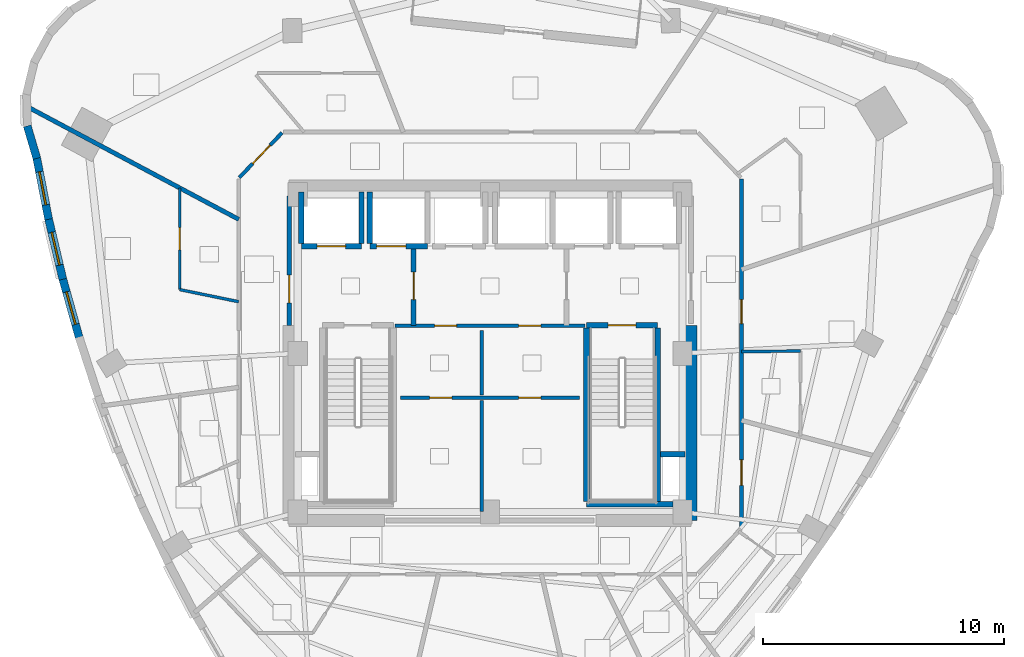
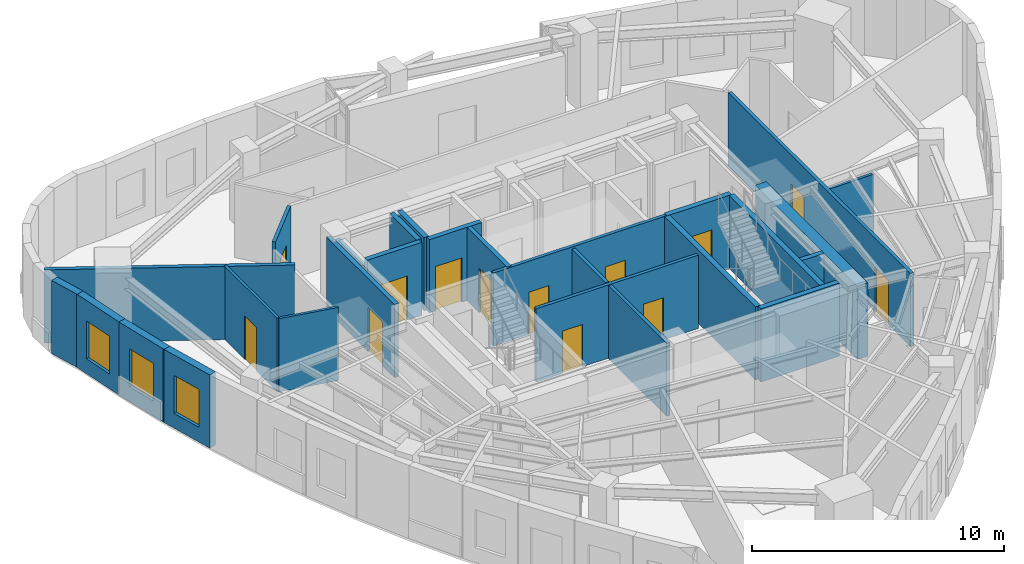
# One storey, part 6 of 11: 27 walls, 13 doors, 3 windows, 16 openings.
"""IFC4 building model written with IfcOpenShell, lengths in metres."""

from ifc_helpers import new_model, si_unit, direction, frame, frame_2d, origin, place, context, subcontext, project, spatial, rectangle, extrude, material, layer, layer_set, type_object, element, fill, save


model = new_model("IFC4")

# Units and contexts
model_context = context("Model", 3, precision=1e-05, world=origin(), true_north=direction((0.0, 1.0)))
body_context = subcontext(model_context, "Body", "Model", "MODEL_VIEW")
ifc_project = project(units=[si_unit("LENGTHUNIT", "METRE"), si_unit("AREAUNIT", "SQUARE_METRE"), si_unit("VOLUMEUNIT", "CUBIC_METRE"), si_unit("PLANEANGLEUNIT", "RADIAN"), si_unit("MASSUNIT", "GRAM", prefix="KILO")], contexts=[model_context])

# Site, building, storey
site_placement = place(None, origin())
site = spatial("IfcSite", under=ifc_project, at=site_placement, CompositionType="ELEMENT")
building_placement = place(site_placement, origin())
building = spatial("IfcBuilding", under=site, at=building_placement, Name="Ndelora Gate Hotel", CompositionType="ELEMENT")
storey_placement = place(building_placement, frame((0.0, 0.0, 186.550048828125)))
storey = spatial("IfcBuildingStorey", under=building, at=storey_placement, Name="L46", CompositionType="ELEMENT", Elevation=186.550048828125)

# Walls
ifc_material_1 = material(Name="Acoustic Double-Stud Gypsum Assembly", Category="gypsum")
ifc_layer_1 = layer(ifc_material_1, 0.179931640625)
ifc_layer_set_1 = layer_set([ifc_layer_1], Name="Acoustic Double-Stud Gypsum Assembly")
wall_type_1 = type_object("IfcWallType", Name="WL-ACOUST-180", PredefinedType="PARTITIONING", material=ifc_layer_set_1)
wall_1_placement = place(storey_placement, frame((-10.449951171875, 5.56884765625, 0.0), z_axis=(0.0, 0.0, 1.0), x_axis=(-0.882520823544, 0.47027332054, 0.0)))
element("IfcWall", 1, at=wall_1_placement, inside=storey, type_object=wall_type_1, Name="L46 Interior Wall IW-3", PredefinedType="PARTITIONING", context=body_context, shape_type="SweptSolid", body=[
    extrude(rectangle(XDim=9.97998046875, YDim=0.179931640625, at=frame_2d((4.989990234375, 0.0))), origin(), (0.0, 0.0, 1.0), 3.550048828125),
])
ifc_material_2 = material(Name="Clay Brick Masonry", Category="masonry")
ifc_layer_2 = layer(ifc_material_2, 0.330078125)
ifc_layer_set_2 = layer_set([ifc_layer_2], Name="Clay Brick Masonry")
wall_type_2 = type_object("IfcWallType", Name="WL-BRICK-330", PredefinedType="SOLIDWALL", material=ifc_layer_set_2)
wall_2_placement = place(storey_placement, frame((-18.843017578125, 8.10498046875, 0.0), z_axis=(0.0, 0.0, 1.0), x_axis=(-0.284100140437, 0.958794613149, 0.0)))
element("IfcWall", 2, at=wall_2_placement, inside=storey, type_object=wall_type_2, Name="L46 Tower Brick Pier-and-Spandrel Wall TWR-8", PredefinedType="SOLIDWALL", context=body_context, shape_type="SweptSolid", body=[
    extrude(rectangle(XDim=1.40771484375, YDim=0.330078125, at=frame_2d((0.703857421875, 0.0))), origin(), (0.0, 0.0, 1.0), 3.550048828125),
])

# Wall, opening, window
wall_3_placement = place(storey_placement, frame((-18.3525390625, 5.5703125, 0.0), z_axis=(0.0, 0.0, 1.0), x_axis=(-0.190921803472, 0.981605249048, 0.0)))
wall_3 = element("IfcWall", 3, at=wall_3_placement, inside=storey, type_object=wall_type_2, Name="L46 Tower Brick Pier-and-Spandrel Wall TWR-9", PredefinedType="SOLIDWALL", context=body_context, shape_type="SweptSolid", body=[
    extrude(rectangle(XDim=2.631591796875, YDim=0.330078125, at=frame_2d((1.31591796875, 0.0))), origin(), (0.0, 0.0, 1.0), 3.550048828125),
])
opening_1_placement = place(wall_3_placement, frame((0.615966796875, 0.0, 0.719970703125)))
opening_1 = element("IfcOpeningElement", 4, at=opening_1_placement, cuts=wall_3, Name="Opening W02", PredefinedType="OPENING", context=body_context, shape_type="SweptSolid", body=[
    extrude(rectangle(XDim=1.39990234375, YDim=1.840087890625, at=frame_2d((0.699951171875, 0.919921875))), frame((0.0, 0.175048828125, 0.0), z_axis=(0.0, -1.0, 0.0), x_axis=(1.0, 0.0, 0.0)), (0.0, 0.0, 1.0), 0.35009765625),
])
ifc_material_3 = material(Name="Insulated Low-E Double Glazing in Bronze Aluminium Frame", Category="aluminium")
window_type = type_object("IfcWindowType", Name="WN-DEEP-1400", PartitioningType="SINGLE_PANEL", PredefinedType="WINDOW", material=ifc_material_3)
window_1_placement = place(opening_1_placement, origin())
window_1 = element("IfcWindow", 5, at=window_1_placement, inside=storey, type_object=window_type, Name="L46 Deep-Set Brick-Pier Window W02", OverallHeight=1.840087890625, OverallWidth=1.39990234375, PartitioningType="SINGLE_PANEL", PredefinedType="WINDOW", context=body_context, shape_type="SweptSolid", body=[
    extrude(rectangle(XDim=1.39990234375, YDim=1.840087890625, at=frame_2d((0.699951171875, 0.919921875))), frame((0.0, 0.030029296875, 0.0), z_axis=(0.0, -1.0, 0.0), x_axis=(1.0, 0.0, 0.0)), (0.0, 0.0, 1.0), 0.06005859375),
])
fill(opening_1, window_1)

wall_4_placement = place(storey_placement, frame((-17.762451171875, 3.079345703125, 0.0), z_axis=(0.0, 0.0, 1.0), x_axis=(-0.230212303812, 0.973140429318, 0.0)))
wall_4 = element("IfcWall", 6, at=wall_4_placement, inside=storey, type_object=wall_type_2, Name="L46 Tower Brick Pier-and-Spandrel Wall TWR-10", PredefinedType="SOLIDWALL", context=body_context, shape_type="SweptSolid", body=[
    extrude(rectangle(XDim=2.60986328125, YDim=0.330078125, at=frame_2d((1.304931640625, 0.0))), origin(), (0.0, 0.0, 1.0), 3.550048828125),
])
opening_2_placement = place(wall_4_placement, frame((0.60498046875, 0.0, 0.719970703125)))
opening_2 = element("IfcOpeningElement", 7, at=opening_2_placement, cuts=wall_4, Name="Opening W02", PredefinedType="OPENING", context=body_context, shape_type="SweptSolid", body=[
    extrude(rectangle(XDim=1.39990234375, YDim=1.840087890625, at=frame_2d((0.699951171875, 0.919921875))), frame((0.0, 0.175048828125, 0.0), z_axis=(0.0, -1.0, 0.0), x_axis=(1.0, 0.0, 0.0)), (0.0, 0.0, 1.0), 0.35009765625),
])
window_2_placement = place(opening_2_placement, origin())
window_2 = element("IfcWindow", 8, at=window_2_placement, inside=storey, type_object=window_type, Name="L46 Deep-Set Brick-Pier Window W02", OverallHeight=1.840087890625, OverallWidth=1.39990234375, PartitioningType="SINGLE_PANEL", PredefinedType="WINDOW", context=body_context, shape_type="SweptSolid", body=[
    extrude(rectangle(XDim=1.39990234375, YDim=1.840087890625, at=frame_2d((0.699951171875, 0.919921875))), frame((0.0, 0.030029296875, 0.0), z_axis=(0.0, -1.0, 0.0), x_axis=(1.0, 0.0, 0.0)), (0.0, 0.0, 1.0), 0.06005859375),
])
fill(opening_2, window_2)

wall_5_placement = place(storey_placement, frame((-17.07568359375, 0.631103515625, 0.0), z_axis=(0.0, 0.0, 1.0), x_axis=(-0.26969279574, 0.962946413839, 0.0)))
wall_5 = element("IfcWall", 9, at=wall_5_placement, inside=storey, type_object=wall_type_2, Name="L46 Tower Brick Pier-and-Spandrel Wall TWR-11", PredefinedType="SOLIDWALL", context=body_context, shape_type="SweptSolid", body=[
    extrude(rectangle(XDim=2.592529296875, YDim=0.330078125, at=frame_2d((1.29638671875, 0.0))), origin(), (0.0, 0.0, 1.0), 3.550048828125),
])
opening_3_placement = place(wall_5_placement, frame((0.59619140625, 0.0, 0.719970703125)))
opening_3 = element("IfcOpeningElement", 10, at=opening_3_placement, cuts=wall_5, Name="Opening W02", PredefinedType="OPENING", context=body_context, shape_type="SweptSolid", body=[
    extrude(rectangle(XDim=1.39990234375, YDim=1.840087890625, at=frame_2d((0.699951171875, 0.919921875))), frame((0.0, 0.175048828125, 0.0), z_axis=(0.0, -1.0, 0.0), x_axis=(1.0, 0.0, 0.0)), (0.0, 0.0, 1.0), 0.35009765625),
])
window_3_placement = place(opening_3_placement, origin())
window_3 = element("IfcWindow", 11, at=window_3_placement, inside=storey, type_object=window_type, Name="L46 Deep-Set Brick-Pier Window W02", OverallHeight=1.840087890625, OverallWidth=1.39990234375, PartitioningType="SINGLE_PANEL", PredefinedType="WINDOW", context=body_context, shape_type="SweptSolid", body=[
    extrude(rectangle(XDim=1.39990234375, YDim=1.840087890625, at=frame_2d((0.699951171875, 0.919921875))), frame((0.0, 0.030029296875, 0.0), z_axis=(0.0, -1.0, 0.0), x_axis=(1.0, 0.0, 0.0)), (0.0, 0.0, 1.0), 0.06005859375),
])
fill(opening_3, window_3)

# Wall
ifc_material_4 = material(Name="Concrete C50/60", Category="concrete")
ifc_layer_3 = layer(ifc_material_4, 0.5)
ifc_layer_set_3 = layer_set([ifc_layer_3], Name="Concrete C50/60")
wall_type_3 = type_object("IfcWallType", Name="WL-CORE-500", PredefinedType="SHEAR", material=ifc_layer_set_3)
wall_6_placement = place(storey_placement, frame((8.35009765625, -6.949951171875, 0.0), z_axis=(0.0, 0.0, 1.0), x_axis=(0.0, 1.0, 0.0)))
element("IfcWall", 12, at=wall_6_placement, inside=storey, type_object=wall_type_3, Name="L46 Core Shear Wall E", PredefinedType="SHEAR", context=body_context, shape_type="SweptSolid", body=[
    extrude(rectangle(XDim=8.099853515625, YDim=0.5, at=frame_2d((4.0498046875, 0.0))), origin(), (0.0, 0.0, 1.0), 3.550048828125),
])

# Wall, opening, door
ifc_material_5 = material(Name="Concrete C40/50", Category="concrete")
ifc_layer_4 = layer(ifc_material_5, 0.199951171875)
ifc_layer_set_4 = layer_set([ifc_layer_4], Name="Concrete C40/50")
wall_type_4 = type_object("IfcWallType", Name="WL-FIRE-200", PredefinedType="PARTITIONING", material=ifc_layer_set_4)
wall_7_placement = place(storey_placement, frame((-3.179931640625, 1.14990234375, 0.0), z_axis=(0.0, 0.0, 1.0), x_axis=(0.0, 1.0, 0.0)))
wall_7 = element("IfcWall", 13, at=wall_7_placement, inside=storey, type_object=wall_type_4, Name="L46 Interior Wall IW-2", PredefinedType="PARTITIONING", context=body_context, shape_type="SweptSolid", body=[
    extrude(rectangle(XDim=3.300048828125, YDim=0.199951171875, at=frame_2d((1.64990234375, 0.0))), origin(), (0.0, 0.0, 1.0), 3.550048828125),
])
opening_4_placement = place(wall_7_placement, frame((1.080078125, 0.0, 0.0)))
opening_4 = element("IfcOpeningElement", 14, at=opening_4_placement, cuts=wall_7, Name="Opening FD1", PredefinedType="OPENING", context=body_context, shape_type="SweptSolid", body=[
    extrude(rectangle(XDim=1.14990234375, YDim=2.14990234375, at=frame_2d((0.574951171875, 1.074951171875))), frame((0.0, 0.10986328125, 0.0), z_axis=(0.0, -1.0, 0.0), x_axis=(1.0, 0.0, 0.0)), (0.0, 0.0, 1.0), 0.219970703125),
])
ifc_material_6 = material(Name="Fire-Rated Timber-Veneer Steel Core", Category="steel")
door_type_1 = type_object("IfcDoorType", Name="DR-FD60", OperationType="SINGLE_SWING_LEFT", PredefinedType="DOOR", material=ifc_material_6)
door_1_placement = place(opening_4_placement, origin())
door_1 = element("IfcDoor", 15, at=door_1_placement, inside=storey, type_object=door_type_1, Name="L46 Firefighting Lobby West Door", OperationType="SINGLE_SWING_RIGHT", OverallHeight=2.14990234375, OverallWidth=1.14990234375, PredefinedType="DOOR", context=body_context, shape_type="SweptSolid", body=[
    extrude(rectangle(XDim=1.14990234375, YDim=2.14990234375, at=frame_2d((0.574951171875, 1.074951171875))), frame((0.0, 0.02490234375, 0.0), z_axis=(0.0, -1.0, 0.0), x_axis=(1.0, 0.0, 0.0)), (0.0, 0.0, 1.0), 0.050048828125),
])
fill(opening_4, door_1)

wall_8_placement = place(storey_placement, frame((-8.35009765625, 1.14990234375, 0.0), z_axis=(0.0, 0.0, 1.0), x_axis=(0.0, 1.0, 0.0)))
wall_8 = element("IfcWall", 16, at=wall_8_placement, inside=storey, type_object=wall_type_4, Name="L46 Interior Wall IW-2", PredefinedType="PARTITIONING", context=body_context, shape_type="SweptSolid", body=[
    extrude(rectangle(XDim=5.400146484375, YDim=0.199951171875, at=frame_2d((2.7001953125, 0.0))), origin(), (0.0, 0.0, 1.0), 3.550048828125),
])
opening_5_placement = place(wall_8_placement, frame((0.949951171875, 0.0, 0.0)))
opening_5 = element("IfcOpeningElement", 17, at=opening_5_placement, cuts=wall_8, Name="Opening FD1", PredefinedType="OPENING", context=body_context, shape_type="SweptSolid", body=[
    extrude(rectangle(XDim=1.14990234375, YDim=2.14990234375, at=frame_2d((0.574951171875, 1.074951171875))), frame((0.0, 0.10986328125, 0.0), z_axis=(0.0, -1.0, 0.0), x_axis=(1.0, 0.0, 0.0)), (0.0, 0.0, 1.0), 0.219970703125),
])
door_2_placement = place(opening_5_placement, origin())
door_2 = element("IfcDoor", 18, at=door_2_placement, inside=storey, type_object=door_type_1, Name="L46 Firefighting Lobby West Corridor Door", OperationType="SINGLE_SWING_LEFT", OverallHeight=2.14990234375, OverallWidth=1.14990234375, PredefinedType="DOOR", context=body_context, shape_type="SweptSolid", body=[
    extrude(rectangle(XDim=1.14990234375, YDim=2.14990234375, at=frame_2d((0.574951171875, 1.074951171875))), frame((0.0, 0.02490234375, 0.0), z_axis=(0.0, -1.0, 0.0), x_axis=(1.0, 0.0, 0.0)), (0.0, 0.0, 1.0), 0.050048828125),
])
fill(opening_5, door_2)

# Wall, openings, doors
ifc_material_7 = material(Name="Fire-Rated Gypsum Stud Partition", Category="gypsum")
ifc_layer_5 = layer(ifc_material_7, 0.14990234375)
ifc_layer_set_5 = layer_set([ifc_layer_5], Name="Fire-Rated Gypsum Stud Partition")
wall_type_5 = type_object("IfcWallType", Name="WL-PART-150", PredefinedType="PARTITIONING", material=ifc_layer_set_5)
wall_9_placement = place(storey_placement, frame((3.949951171875, 1.14990234375, 0.0), z_axis=(0.0, 0.0, 1.0), x_axis=(-1.0, 0.0, 0.0)))
wall_9 = element("IfcWall", 19, at=wall_9_placement, inside=storey, type_object=wall_type_5, Name="L46 Interior Wall IW-5", PredefinedType="PARTITIONING", context=body_context, shape_type="SweptSolid", body=[
    extrude(rectangle(XDim=7.89990234375, YDim=0.14990234375, at=frame_2d((3.949951171875, 0.0))), origin(), (0.0, 0.0, 1.0), 3.550048828125),
])
opening_6_placement = place(wall_9_placement, frame((5.340087890625, 0.0, 0.0)))
opening_6 = element("IfcOpeningElement", 20, at=opening_6_placement, cuts=wall_9, Name="Opening D04", PredefinedType="OPENING", context=body_context, shape_type="SweptSolid", body=[
    extrude(rectangle(XDim=0.919921875, YDim=2.050048828125, at=frame_2d((0.4599609375, 1.02490234375))), frame((0.0, 0.0849609375, 0.0), z_axis=(0.0, -1.0, 0.0), x_axis=(1.0, 0.0, 0.0)), (0.0, 0.0, 1.0), 0.169921875),
])
opening_7_placement = place(wall_9_placement, frame((1.840087890625, 0.0, 0.0)))
opening_7 = element("IfcOpeningElement", 21, at=opening_7_placement, cuts=wall_9, Name="Opening D04", PredefinedType="OPENING", context=body_context, shape_type="SweptSolid", body=[
    extrude(rectangle(XDim=0.919921875, YDim=2.050048828125, at=frame_2d((0.4599609375, 1.02490234375))), frame((0.0, 0.0849609375, 0.0), z_axis=(0.0, -1.0, 0.0), x_axis=(1.0, 0.0, 0.0)), (0.0, 0.0, 1.0), 0.169921875),
])
ifc_material_8 = material(Name="Painted Steel Core Service Door", Category="steel")
door_type_2 = type_object("IfcDoorType", Name="DR-SER-920", OperationType="SINGLE_SWING_LEFT", PredefinedType="DOOR", material=ifc_material_8)
door_3_placement = place(opening_6_placement, origin())
door_3 = element("IfcDoor", 22, at=door_3_placement, inside=storey, type_object=door_type_2, Name="L46 Core Electrical Closet Door", OperationType="SINGLE_SWING_LEFT", OverallHeight=2.050048828125, OverallWidth=0.919921875, PredefinedType="DOOR", context=body_context, shape_type="SweptSolid", body=[
    extrude(rectangle(XDim=0.919921875, YDim=2.050048828125, at=frame_2d((0.4599609375, 1.02490234375))), frame((0.0, 0.02490234375, 0.0), z_axis=(0.0, -1.0, 0.0), x_axis=(1.0, 0.0, 0.0)), (0.0, 0.0, 1.0), 0.050048828125),
])
fill(opening_6, door_3)
door_4_placement = place(opening_7_placement, origin())
door_4 = element("IfcDoor", 23, at=door_4_placement, inside=storey, type_object=door_type_2, Name="L46 Comms Patching Store Door", OperationType="SINGLE_SWING_RIGHT", OverallHeight=2.050048828125, OverallWidth=0.919921875, PredefinedType="DOOR", context=body_context, shape_type="SweptSolid", body=[
    extrude(rectangle(XDim=0.919921875, YDim=2.050048828125, at=frame_2d((0.4599609375, 1.02490234375))), frame((0.0, 0.02490234375, 0.0), z_axis=(0.0, -1.0, 0.0), x_axis=(1.0, 0.0, 0.0)), (0.0, 0.0, 1.0), 0.050048828125),
])
fill(opening_7, door_4)

wall_10_placement = place(storey_placement, frame((-3.719970703125, -1.85009765625, 0.0), z_axis=(0.0, 0.0, 1.0), x_axis=(1.0, 0.0, 0.0)))
wall_10 = element("IfcWall", 24, at=wall_10_placement, inside=storey, type_object=wall_type_5, Name="L46 Interior Wall IW-5", PredefinedType="PARTITIONING", context=body_context, shape_type="SweptSolid", body=[
    extrude(rectangle(XDim=7.43994140625, YDim=0.14990234375, at=frame_2d((3.719970703125, 0.0))), origin(), (0.0, 0.0, 1.0), 3.550048828125),
])
opening_8_placement = place(wall_10_placement, frame((1.2099609375, 0.0, 0.0)))
opening_8 = element("IfcOpeningElement", 25, at=opening_8_placement, cuts=wall_10, Name="Opening D04", PredefinedType="OPENING", context=body_context, shape_type="SweptSolid", body=[
    extrude(rectangle(XDim=0.919921875, YDim=2.050048828125, at=frame_2d((0.4599609375, 1.02490234375))), frame((0.0, 0.0849609375, 0.0), z_axis=(0.0, -1.0, 0.0), x_axis=(1.0, 0.0, 0.0)), (0.0, 0.0, 1.0), 0.169921875),
])
opening_9_placement = place(wall_10_placement, frame((4.909912109375, 0.0, 0.0)))
opening_9 = element("IfcOpeningElement", 26, at=opening_9_placement, cuts=wall_10, Name="Opening D04", PredefinedType="OPENING", context=body_context, shape_type="SweptSolid", body=[
    extrude(rectangle(XDim=0.919921875, YDim=2.050048828125, at=frame_2d((0.4599609375, 1.02490234375))), frame((0.0, 0.0849609375, 0.0), z_axis=(0.0, -1.0, 0.0), x_axis=(1.0, 0.0, 0.0)), (0.0, 0.0, 1.0), 0.169921875),
])
door_5_placement = place(opening_8_placement, origin())
door_5 = element("IfcDoor", 27, at=door_5_placement, inside=storey, type_object=door_type_2, Name="L46 Core Service Internal Door", OperationType="SINGLE_SWING_LEFT", OverallHeight=2.050048828125, OverallWidth=0.919921875, PredefinedType="DOOR", context=body_context, shape_type="SweptSolid", body=[
    extrude(rectangle(XDim=0.919921875, YDim=2.050048828125, at=frame_2d((0.4599609375, 1.02490234375))), frame((0.0, 0.02490234375, 0.0), z_axis=(0.0, -1.0, 0.0), x_axis=(1.0, 0.0, 0.0)), (0.0, 0.0, 1.0), 0.050048828125),
])
fill(opening_8, door_5)
door_6_placement = place(opening_9_placement, origin())
door_6 = element("IfcDoor", 28, at=door_6_placement, inside=storey, type_object=door_type_2, Name="L46 Core Service Internal Door", OperationType="SINGLE_SWING_LEFT", OverallHeight=2.050048828125, OverallWidth=0.919921875, PredefinedType="DOOR", context=body_context, shape_type="SweptSolid", body=[
    extrude(rectangle(XDim=0.919921875, YDim=2.050048828125, at=frame_2d((0.4599609375, 1.02490234375))), frame((0.0, 0.02490234375, 0.0), z_axis=(0.0, -1.0, 0.0), x_axis=(1.0, 0.0, 0.0)), (0.0, 0.0, 1.0), 0.050048828125),
])
fill(opening_9, door_6)

# Walls
wall_11_placement = place(storey_placement, frame((-0.35009765625, -6.580078125, 0.0), z_axis=(0.0, 0.0, 1.0), x_axis=(0.0, 1.0, 0.0)))
element("IfcWall", 29, at=wall_11_placement, inside=storey, type_object=wall_type_5, Name="L46 Interior Wall IW-5", PredefinedType="PARTITIONING", context=body_context, shape_type="SweptSolid", body=[
    extrude(rectangle(XDim=4.610107421875, YDim=0.14990234375, at=frame_2d((2.30517578125, 0.0))), origin(), (0.0, 0.0, 1.0), 3.550048828125),
])
wall_12_placement = place(storey_placement, frame((-0.35009765625, -1.72998046875, 0.0), z_axis=(0.0, 0.0, 1.0), x_axis=(0.0, 1.0, 0.0)))
element("IfcWall", 30, at=wall_12_placement, inside=storey, type_object=wall_type_5, Name="L46 Interior Wall IW-5", PredefinedType="PARTITIONING", context=body_context, shape_type="SweptSolid", body=[
    extrude(rectangle(XDim=2.679931640625, YDim=0.14990234375, at=frame_2d((1.33984375, 0.0))), origin(), (0.0, 0.0, 1.0), 3.550048828125),
])

# Wall, openings, doors
wall_13_placement = place(storey_placement, frame((10.449951171875, 7.239990234375, 0.0), z_axis=(0.0, 0.0, 1.0), x_axis=(0.0, -1.0, 0.0)))
wall_13 = element("IfcWall", 31, at=wall_13_placement, inside=storey, type_object=wall_type_5, Name="L46 Interior Wall IW-5", PredefinedType="PARTITIONING", context=body_context, shape_type="SweptSolid", body=[
    extrude(rectangle(XDim=14.47998046875, YDim=0.14990234375, at=frame_2d((7.239990234375, 0.0))), origin(), (0.0, 0.0, 1.0), 3.550048828125),
])
opening_10_placement = place(wall_13_placement, frame((11.67431640625, 0.0, 0.0)))
opening_10 = element("IfcOpeningElement", 32, at=opening_10_placement, cuts=wall_13, Name="Opening D07", PredefinedType="OPENING", context=body_context, shape_type="SweptSolid", body=[
    extrude(rectangle(XDim=1.06005859375, YDim=2.14990234375, at=frame_2d((0.530029296875, 1.074951171875))), frame((0.0, 0.0849609375, 0.0), z_axis=(0.0, -1.0, 0.0), x_axis=(1.0, 0.0, 0.0)), (0.0, 0.0, 1.0), 0.169921875),
])
opening_11_placement = place(wall_13_placement, frame((5.005615234375, 0.0, 0.0)))
opening_11 = element("IfcOpeningElement", 33, at=opening_11_placement, cuts=wall_13, Name="Opening D01", PredefinedType="OPENING", context=body_context, shape_type="SweptSolid", body=[
    extrude(rectangle(XDim=1.0, YDim=2.14990234375, at=frame_2d((0.5, 1.074951171875))), frame((0.0, 0.0849609375, 0.0), z_axis=(0.0, -1.0, 0.0), x_axis=(1.0, 0.0, 0.0)), (0.0, 0.0, 1.0), 0.169921875),
])
ifc_material_9 = material(Name="Acoustic Hardwood Guest Entrance Door", Category="wood")
door_type_3 = type_object("IfcDoorType", Name="DR-COR-1000", OperationType="SINGLE_SWING_LEFT", PredefinedType="DOOR", material=ifc_material_9)
door_7_placement = place(opening_11_placement, origin())
door_7 = element("IfcDoor", 34, at=door_7_placement, inside=storey, type_object=door_type_3, Name="L46 Altitude King Guest Room 4902 Entrance Door", OperationType="SINGLE_SWING_LEFT", OverallHeight=2.14990234375, OverallWidth=1.0, PredefinedType="DOOR", context=body_context, shape_type="SweptSolid", body=[
    extrude(rectangle(XDim=1.0, YDim=2.14990234375, at=frame_2d((0.5, 1.074951171875))), frame((0.0, 0.02490234375, 0.0), z_axis=(0.0, -1.0, 0.0), x_axis=(1.0, 0.0, 0.0)), (0.0, 0.0, 1.0), 0.050048828125),
])
fill(opening_11, door_7)
ifc_material_10 = material(Name="Diplomatic Suite Acoustic Entrance Door", Category="wood")
door_type_4 = type_object("IfcDoorType", Name="DR-SUITE-1060", OperationType="SINGLE_SWING_LEFT", PredefinedType="DOOR", material=ifc_material_10)
door_8_placement = place(opening_10_placement, origin())
door_8 = element("IfcDoor", 35, at=door_8_placement, inside=storey, type_object=door_type_4, Name="L46 Panoramic Horizon Suite 4901 Entrance Door", OperationType="SINGLE_SWING_LEFT", OverallHeight=2.14990234375, OverallWidth=1.06005859375, PredefinedType="DOOR", context=body_context, shape_type="SweptSolid", body=[
    extrude(rectangle(XDim=1.06005859375, YDim=2.14990234375, at=frame_2d((0.530029296875, 1.074951171875))), frame((0.0, 0.02490234375, 0.0), z_axis=(0.0, -1.0, 0.0), x_axis=(1.0, 0.0, 0.0)), (0.0, 0.0, 1.0), 0.050048828125),
])
fill(opening_10, door_8)

# Wall, opening, door
wall_14_placement = place(storey_placement, frame((-10.42236328125, 7.30908203125, 0.0), z_axis=(0.0, 0.0, 1.0), x_axis=(0.689960858356, 0.723846678473, 0.0)))
wall_14 = element("IfcWall", 36, at=wall_14_placement, inside=storey, type_object=wall_type_5, Name="L46 Interior Wall IW-5", PredefinedType="PARTITIONING", context=body_context, shape_type="SweptSolid", body=[
    extrude(rectangle(XDim=2.572021484375, YDim=0.14990234375, at=frame_2d((1.2861328125, 0.0))), origin(), (0.0, 0.0, 1.0), 3.550048828125),
])
opening_12_placement = place(wall_14_placement, frame((0.796142578125, 0.0, 0.0)))
opening_12 = element("IfcOpeningElement", 37, at=opening_12_placement, cuts=wall_14, Name="Opening D07", PredefinedType="OPENING", context=body_context, shape_type="SweptSolid", body=[
    extrude(rectangle(XDim=1.06005859375, YDim=2.14990234375, at=frame_2d((0.530029296875, 1.074951171875))), frame((0.0, 0.0849609375, 0.0), z_axis=(0.0, -1.0, 0.0), x_axis=(1.0, 0.0, 0.0)), (0.0, 0.0, 1.0), 0.169921875),
])
door_9_placement = place(opening_12_placement, origin())
door_9 = element("IfcDoor", 38, at=door_9_placement, inside=storey, type_object=door_type_4, Name="L46 Grand Ambassador Suite 4904 Entrance Door", OperationType="SINGLE_SWING_RIGHT", OverallHeight=2.14990234375, OverallWidth=1.06005859375, PredefinedType="DOOR", context=body_context, shape_type="SweptSolid", body=[
    extrude(rectangle(XDim=1.06005859375, YDim=2.14990234375, at=frame_2d((0.530029296875, 1.074951171875))), frame((0.0, 0.02490234375, 0.0), z_axis=(0.0, -1.0, 0.0), x_axis=(1.0, 0.0, 0.0)), (0.0, 0.0, 1.0), 0.050048828125),
])
fill(opening_12, door_9)

# Wall
ifc_layer_6 = layer(ifc_material_5, 0.219970703125)
ifc_layer_set_6 = layer_set([ifc_layer_6], Name="Concrete C40/50")
wall_type_6 = type_object("IfcWallType", Name="WL-SHAFT-220", PredefinedType="PARTITIONING", material=ifc_layer_set_6)
wall_15_placement = place(storey_placement, frame((7.090087890625, -4.199951171875, 0.0), z_axis=(0.0, 0.0, 1.0), x_axis=(1.0, 0.0, 0.0)))
element("IfcWall", 39, at=wall_15_placement, inside=storey, type_object=wall_type_6, Name="L46 Interior Wall IW-1", PredefinedType="PARTITIONING", context=body_context, shape_type="SweptSolid", body=[
    extrude(rectangle(XDim=1.010009765625, YDim=0.219970703125, at=frame_2d((0.5048828125, 0.0))), origin(), (0.0, 0.0, 1.0), 3.550048828125),
])

# Wall, opening, door
wall_16_placement = place(storey_placement, frame((-7.85009765625, 4.449951171875, 0.0), z_axis=(0.0, 0.0, 1.0), x_axis=(1.0, 0.0, 0.0)))
wall_16 = element("IfcWall", 40, at=wall_16_placement, inside=storey, type_object=wall_type_6, Name="L46 Interior Wall IW-1", PredefinedType="PARTITIONING", context=body_context, shape_type="SweptSolid", body=[
    extrude(rectangle(XDim=2.5, YDim=0.219970703125, at=frame_2d((1.25, 0.0))), origin(), (0.0, 0.0, 1.0), 3.550048828125),
])
opening_13_placement = place(wall_16_placement, frame((0.659912109375, 0.0, 0.0)))
opening_13 = element("IfcOpeningElement", 41, at=opening_13_placement, cuts=wall_16, Name="Opening LD5", PredefinedType="OPENING", context=body_context, shape_type="SweptSolid", body=[
    extrude(rectangle(XDim=1.179931640625, YDim=2.14990234375, at=frame_2d((0.58984375, 1.074951171875))), frame((0.0, 0.1201171875, 0.0), z_axis=(0.0, -1.0, 0.0), x_axis=(1.0, 0.0, 0.0)), (0.0, 0.0, 1.0), 0.239990234375),
])
ifc_material_11 = material(Name="Firefighting Lift Stainless Sliding Landing Door", Category="metal")
door_type_5 = type_object("IfcDoorType", Name="DR-LD5", OperationType="DOUBLE_DOOR_SLIDING", PredefinedType="DOOR", material=ifc_material_11)
door_10_placement = place(opening_13_placement, origin())
door_10 = element("IfcDoor", 42, at=door_10_placement, inside=storey, type_object=door_type_5, Name="L46 Lift Landing Sliding Door FFL1", OperationType="DOUBLE_DOOR_SLIDING", OverallHeight=2.14990234375, OverallWidth=1.179931640625, PredefinedType="DOOR", context=body_context, shape_type="SweptSolid", body=[
    extrude(rectangle(XDim=1.179931640625, YDim=2.14990234375, at=frame_2d((0.58984375, 1.074951171875))), frame((0.0, 0.02490234375, 0.0), z_axis=(0.0, -1.0, 0.0), x_axis=(1.0, 0.0, 0.0)), (0.0, 0.0, 1.0), 0.050048828125),
])
fill(opening_13, door_10)

# Walls
wall_17_placement = place(storey_placement, frame((-7.85009765625, 4.570068359375, 0.0), z_axis=(0.0, 0.0, 1.0), x_axis=(0.0, 1.0, 0.0)))
element("IfcWall", 43, at=wall_17_placement, inside=storey, type_object=wall_type_6, Name="L46 Interior Wall IW-1", PredefinedType="PARTITIONING", context=body_context, shape_type="SweptSolid", body=[
    extrude(rectangle(XDim=2.1298828125, YDim=0.219970703125, at=frame_2d((1.06494140625, 0.0))), origin(), (0.0, 0.0, 1.0), 3.179931640625),
])
wall_18_placement = place(storey_placement, frame((-5.35009765625, 4.570068359375, 0.0), z_axis=(0.0, 0.0, 1.0), x_axis=(0.0, 1.0, 0.0)))
element("IfcWall", 44, at=wall_18_placement, inside=storey, type_object=wall_type_6, Name="L46 Interior Wall IW-1", PredefinedType="PARTITIONING", context=body_context, shape_type="SweptSolid", body=[
    extrude(rectangle(XDim=2.1298828125, YDim=0.219970703125, at=frame_2d((1.06494140625, 0.0))), origin(), (0.0, 0.0, 1.0), 3.550048828125),
])

# Wall, opening, door
wall_19_placement = place(storey_placement, frame((-5.0, 4.449951171875, 0.0), z_axis=(0.0, 0.0, 1.0), x_axis=(1.0, 0.0, 0.0)))
wall_19 = element("IfcWall", 45, at=wall_19_placement, inside=storey, type_object=wall_type_6, Name="L46 Interior Wall IW-1", PredefinedType="PARTITIONING", context=body_context, shape_type="SweptSolid", body=[
    extrude(rectangle(XDim=2.39990234375, YDim=0.219970703125, at=frame_2d((1.199951171875, 0.0))), origin(), (0.0, 0.0, 1.0), 3.550048828125),
])
opening_14_placement = place(wall_19_placement, frame((0.280029296875, 0.0, 0.0)))
opening_14 = element("IfcOpeningElement", 46, at=opening_14_placement, cuts=wall_19, Name="Opening LD6", PredefinedType="OPENING", context=body_context, shape_type="SweptSolid", body=[
    extrude(rectangle(XDim=1.219970703125, YDim=2.14990234375, at=frame_2d((0.60986328125, 1.074951171875))), frame((0.0, 0.1201171875, 0.0), z_axis=(0.0, -1.0, 0.0), x_axis=(1.0, 0.0, 0.0)), (0.0, 0.0, 1.0), 0.239990234375),
])
ifc_material_12 = material(Name="Heavy-Duty Service Lift Sliding Landing Door", Category="wood")
door_type_6 = type_object("IfcDoorType", Name="DR-LD6", OperationType="DOUBLE_DOOR_SLIDING", PredefinedType="DOOR", material=ifc_material_12)
door_11_placement = place(opening_14_placement, origin())
door_11 = element("IfcDoor", 47, at=door_11_placement, inside=storey, type_object=door_type_6, Name="L46 Lift Landing Sliding Door SVL1", OperationType="DOUBLE_DOOR_SLIDING", OverallHeight=2.14990234375, OverallWidth=1.219970703125, PredefinedType="DOOR", context=body_context, shape_type="SweptSolid", body=[
    extrude(rectangle(XDim=1.219970703125, YDim=2.14990234375, at=frame_2d((0.60986328125, 1.074951171875))), frame((0.0, 0.02490234375, 0.0), z_axis=(0.0, -1.0, 0.0), x_axis=(1.0, 0.0, 0.0)), (0.0, 0.0, 1.0), 0.050048828125),
])
fill(opening_14, door_11)

# Walls
wall_20_placement = place(storey_placement, frame((-5.0, 4.570068359375, 0.0), z_axis=(0.0, 0.0, 1.0), x_axis=(0.0, 1.0, 0.0)))
element("IfcWall", 48, at=wall_20_placement, inside=storey, type_object=wall_type_6, Name="L46 Interior Wall IW-1", PredefinedType="PARTITIONING", context=body_context, shape_type="SweptSolid", body=[
    extrude(rectangle(XDim=2.1298828125, YDim=0.219970703125, at=frame_2d((1.06494140625, 0.0))), origin(), (0.0, 0.0, 1.0), 3.550048828125),
])
ifc_layer_7 = layer(ifc_material_4, 0.239990234375)
ifc_layer_set_7 = layer_set([ifc_layer_7], Name="Concrete C50/60")
wall_type_7 = type_object("IfcWallType", Name="WL-STAIR-240", PredefinedType="SHEAR", material=ifc_layer_set_7)
for number, where, z_axis, x_axis, name in (
    (49, (4.010009765625, -6.159912109375, 0.0), (0.0, 0.0, 1.0), (0.0, 1.0, 0.0), "L46 Stair Core Shear Wall SW-ST"),
    (50, (6.969970703125, -6.159912109375, 0.0), (0.0, 0.0, 1.0), (0.0, 1.0, 0.0), "L46 Stair Core Shear Wall SW-ST"),
):
    element("IfcWall", number, at=place(storey_placement, frame(where, z_axis=z_axis, x_axis=x_axis)), inside=storey, type_object=wall_type_7, Name=name, PredefinedType="SHEAR", context=body_context, shape_type="SweptSolid", body=[
        extrude(rectangle(XDim=7.219970703125, YDim=0.239990234375, at=frame_2d((3.60986328125, 0.0))), origin(), (0.0, 0.0, 1.0), 3.550048828125),
    ])
wall_21_placement = place(storey_placement, frame((4.010009765625, -6.27001953125, 0.0), z_axis=(0.0, 0.0, 1.0), x_axis=(1.0, 0.0, 0.0)))
element("IfcWall", 51, at=wall_21_placement, inside=storey, type_object=wall_type_7, Name="L46 Stair Core Shear Wall SW-ST", PredefinedType="SHEAR", context=body_context, shape_type="SweptSolid", body=[
    extrude(rectangle(XDim=3.590087890625, YDim=0.239990234375, at=frame_2d((1.794921875, 0.0))), origin(), (0.0, 0.0, 1.0), 3.550048828125),
])

# Wall, opening, door
wall_22_placement = place(storey_placement, frame((4.010009765625, 1.169921875, 0.0), z_axis=(0.0, 0.0, 1.0), x_axis=(1.0, 0.0, 0.0)))
wall_22 = element("IfcWall", 52, at=wall_22_placement, inside=storey, type_object=wall_type_7, Name="L46 Stair Core Shear Wall SW-ST", PredefinedType="SHEAR", context=body_context, shape_type="SweptSolid", body=[
    extrude(rectangle(XDim=2.9599609375, YDim=0.239990234375, at=frame_2d((1.47998046875, 0.0))), origin(), (0.0, 0.0, 1.0), 3.550048828125),
])
opening_15_placement = place(wall_22_placement, frame((0.89990234375, 0.0, 0.0)))
opening_15 = element("IfcOpeningElement", 53, at=opening_15_placement, cuts=wall_22, Name="Opening FD1", PredefinedType="OPENING", context=body_context, shape_type="SweptSolid", body=[
    extrude(rectangle(XDim=1.14990234375, YDim=2.14990234375, at=frame_2d((0.574951171875, 1.074951171875))), frame((0.0, 0.1298828125, 0.0), z_axis=(0.0, -1.0, 0.0), x_axis=(1.0, 0.0, 0.0)), (0.0, 0.0, 1.0), 0.260009765625),
])
door_12_placement = place(opening_15_placement, origin())
door_12 = element("IfcDoor", 54, at=door_12_placement, inside=storey, type_object=door_type_1, Name="L46 Exit Stair ST5 Door", OperationType="SINGLE_SWING_RIGHT", OverallHeight=2.14990234375, OverallWidth=1.14990234375, PredefinedType="DOOR", context=body_context, shape_type="SweptSolid", body=[
    extrude(rectangle(XDim=1.14990234375, YDim=2.14990234375, at=frame_2d((0.574951171875, 1.074951171875))), frame((0.0, 0.02490234375, 0.0), z_axis=(0.0, -1.0, 0.0), x_axis=(1.0, 0.0, 0.0)), (0.0, 0.0, 1.0), 0.050048828125),
])
fill(opening_15, door_12)

# Walls
ifc_material_13 = material(Name="Moisture-Resistant Bathroom Tile Partition", Category="gypsum")
ifc_layer_8 = layer(ifc_material_13, 0.1201171875)
ifc_layer_set_8 = layer_set([ifc_layer_8], Name="Moisture-Resistant Bathroom Tile Partition")
wall_type_8 = type_object("IfcWallType", Name="WL-WET-120", PredefinedType="PARTITIONING", material=ifc_layer_set_8)
wall_23_placement = place(storey_placement, frame((10.449951171875, 0.075439453125, 0.0), z_axis=(0.0, 0.0, 1.0), x_axis=(0.999974261486, 0.007174703221, 0.0)))
element("IfcWall", 55, at=wall_23_placement, inside=storey, type_object=wall_type_8, Name="L46 Interior Wall IW-7", PredefinedType="PARTITIONING", context=body_context, shape_type="SweptSolid", body=[
    extrude(rectangle(XDim=2.449951171875, YDim=0.1201171875, at=frame_2d((1.22509765625, 0.0))), origin(), (0.0, 0.0, 1.0), 3.079833984375),
])
wall_24_placement = place(storey_placement, frame((-12.89990234375, 2.648681640625, 0.0), z_axis=(0.0, 0.0, 1.0), x_axis=(0.979553895705, -0.201181921181, 0.0)))
element("IfcWall", 56, at=wall_24_placement, inside=storey, type_object=wall_type_8, Name="L46 Interior Wall IW-7", PredefinedType="PARTITIONING", context=body_context, shape_type="SweptSolid", body=[
    extrude(rectangle(XDim=2.5009765625, YDim=0.1201171875, at=frame_2d((1.25048828125, 0.0))), origin(), (0.0, 0.0, 1.0), 3.550048828125),
])

# Wall, opening, door
wall_25_placement = place(storey_placement, frame((-12.89990234375, 2.648681640625, 0.0), z_axis=(0.0, 0.0, 1.0), x_axis=(0.0, 1.0, 0.0)))
wall_25 = element("IfcWall", 57, at=wall_25_placement, inside=storey, type_object=wall_type_8, Name="L46 Interior Wall IW-7", PredefinedType="PARTITIONING", context=body_context, shape_type="SweptSolid", body=[
    extrude(rectangle(XDim=4.225830078125, YDim=0.1201171875, at=frame_2d((2.11279296875, 0.0))), origin(), (0.0, 0.0, 1.0), 3.550048828125),
])
opening_16_placement = place(wall_25_placement, frame((1.65283203125, 0.0, 0.0)))
opening_16 = element("IfcOpeningElement", 58, at=opening_16_placement, cuts=wall_25, Name="Opening D03", PredefinedType="OPENING", context=body_context, shape_type="SweptSolid", body=[
    extrude(rectangle(XDim=0.919921875, YDim=2.10009765625, at=frame_2d((0.4599609375, 1.050048828125))), frame((0.0, 0.070068359375, 0.0), z_axis=(0.0, -1.0, 0.0), x_axis=(1.0, 0.0, 0.0)), (0.0, 0.0, 1.0), 0.14013671875),
])
ifc_material_14 = material(Name="Moisture-Resistant Hardwood En-Suite Door", Category="wood")
door_type_7 = type_object("IfcDoorType", Name="DR-BATH-920", OperationType="SINGLE_SWING_LEFT", PredefinedType="DOOR", material=ifc_material_14)
door_13_placement = place(opening_16_placement, origin())
door_13 = element("IfcDoor", 59, at=door_13_placement, inside=storey, type_object=door_type_7, Name="L46 En-suite Bathroom 4905 Door", OperationType="SINGLE_SWING_RIGHT", OverallHeight=2.10009765625, OverallWidth=0.919921875, PredefinedType="DOOR", context=body_context, shape_type="SweptSolid", body=[
    extrude(rectangle(XDim=0.919921875, YDim=2.10009765625, at=frame_2d((0.4599609375, 1.050048828125))), frame((0.0, 0.02490234375, 0.0), z_axis=(0.0, -1.0, 0.0), x_axis=(1.0, 0.0, 0.0)), (0.0, 0.0, 1.0), 0.050048828125),
])
fill(opening_16, door_13)

save(model, "model.ifc")
